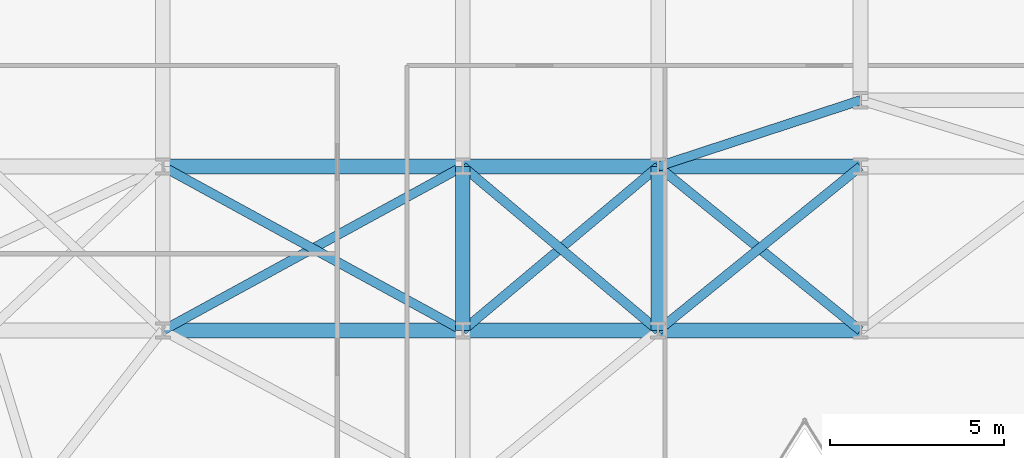
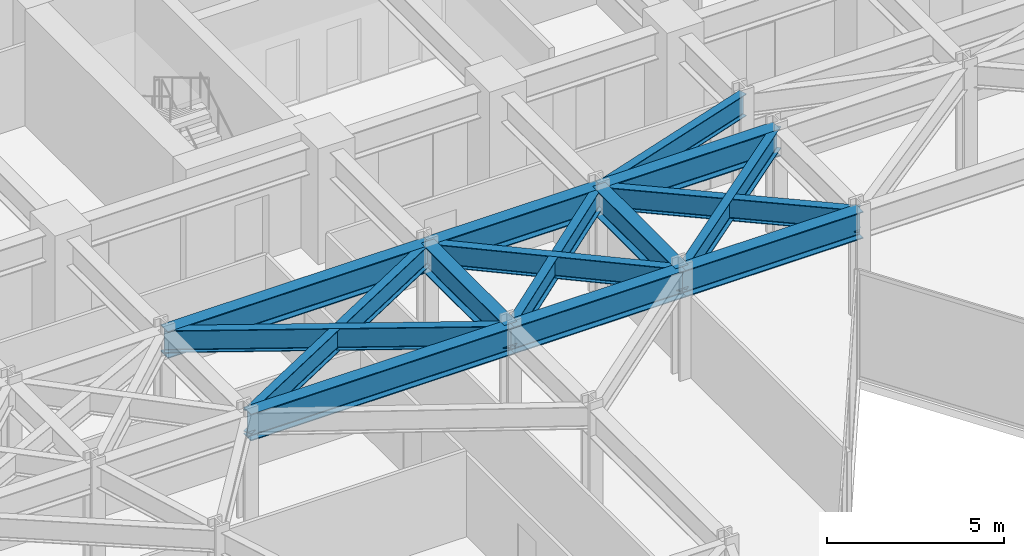
# One storey, part 11 of 25: 15 beams.
"""IFC4 building model written with IfcOpenShell, lengths in metres."""

import ifcopenshell
import ifcopenshell.guid

model = None  # the IFC model being written
_history = None  # IfcOwnerHistory: only IFC2X3 demands one
_inside = {}  # id of a spatial element -> (the spatial element, [elements in it])
_under = {}  # id of a project, library or spatial element -> (it, [spatial elements below it])
_declared = {}  # id of a project -> (the project, [libraries it declares])
_typed = {}  # id of a type object -> (the type object, [elements of that type])
_made_of = {}  # id of a material, layer set ... -> (it, [elements and type objects made of it])


def new_model(schema):
    """Start an empty IFC model of exactly this schema.

    Asked for "IFC4X3", IfcOpenShell would pick the latest addendum, in which some entities
    have other attributes; the version numbers below select the first issue.
    IFC2X3 requires an IfcOwnerHistory on every rooted entity: one is made here for all.
    """
    global model, _history
    if schema == "IFC4X3":
        model = ifcopenshell.file(schema_version=(4, 3, 0, 0))
    else:
        model = ifcopenshell.file(schema=schema)
    _inside.clear()
    _under.clear()
    _declared.clear()
    _typed.clear()
    _made_of.clear()
    _history = None
    if model.schema == "IFC2X3":
        org = make("IfcOrganization", Name="unknown")
        user = make(
            "IfcPersonAndOrganization",
            ThePerson=make("IfcPerson", FamilyName="unknown"),
            TheOrganization=org,
        )
        app = make(
            "IfcApplication",
            ApplicationDeveloper=org,
            Version="unknown",
            ApplicationFullName="unknown",
            ApplicationIdentifier="unknown",
        )
        _history = make(
            "IfcOwnerHistory",
            OwningUser=user,
            OwningApplication=app,
            ChangeAction="ADDED",
            CreationDate=0,
        )
    return model


def make(cls, **values):
    """One entity of the class cls with the attributes given. An attribute that is None is left unset."""
    return model.create_entity(
        cls, **{name: value for name, value in values.items() if value is not None}
    )


def rooted(cls, **values):
    """An entity with a GlobalId (a new one), such as an element, a storey or a relation."""
    return make(cls, GlobalId=ifcopenshell.guid.new(), OwnerHistory=_history, **values)


def si_unit(unit_type, name, prefix=None):
    """IfcSIUnit, for example si_unit("LENGTHUNIT", "METRE", prefix="MILLI")."""
    return make("IfcSIUnit", UnitType=unit_type, Prefix=prefix, Name=name)


def assignment(units):
    """IfcUnitAssignment: the units of a project."""
    return None if units is None else make("IfcUnitAssignment", Units=units)


def point(xyz):
    """IfcCartesianPoint."""
    return None if xyz is None else make("IfcCartesianPoint", Coordinates=xyz)


def direction(xyz):
    """IfcDirection."""
    return None if xyz is None else make("IfcDirection", DirectionRatios=xyz)


def frame(location, z_axis=None, x_axis=None):
    """IfcAxis2Placement3D, a coordinate frame: its origin and axes. An axis left out is left unset."""
    return make(
        "IfcAxis2Placement3D",
        Location=point(location),
        Axis=direction(z_axis),
        RefDirection=direction(x_axis),
    )


def frame_2d(location, x_axis=None):
    """IfcAxis2Placement2D, a coordinate frame in the plane: its origin and x axis."""
    return make(
        "IfcAxis2Placement2D", Location=point(location), RefDirection=direction(x_axis)
    )


def origin():
    """The frame at (0, 0, 0) with its axes left unset."""
    return frame((0.0, 0.0, 0.0))


def origin_2d():
    """The frame at (0, 0) in the plane with its x axis left unset."""
    return frame_2d((0.0, 0.0))


def place(relative_to, where):
    """IfcLocalPlacement: puts the frame where relative to a parent placement (None: the world)."""
    return make(
        "IfcLocalPlacement", PlacementRelTo=relative_to, RelativePlacement=where
    )


def context(
    kind, dimensions, precision=None, world=None, true_north=None, identifier=None
):
    """IfcGeometricRepresentationContext, for example the 3D "Model" context."""
    return make(
        "IfcGeometricRepresentationContext",
        ContextIdentifier=identifier,
        ContextType=kind,
        CoordinateSpaceDimension=dimensions,
        Precision=precision,
        WorldCoordinateSystem=world,
        TrueNorth=true_north,
    )


def subcontext(parent, identifier, kind, view, scale=None):
    """IfcGeometricRepresentationSubContext, for example "Body" below "Model"."""
    return make(
        "IfcGeometricRepresentationSubContext",
        ContextIdentifier=identifier,
        ContextType=kind,
        ParentContext=parent,
        TargetScale=scale,
        TargetView=view,
    )


def project(units=None, contexts=None):
    """IfcProject with its units and contexts."""
    return rooted(
        "IfcProject",
        Name="project",
        RepresentationContexts=contexts,
        UnitsInContext=assignment(units),
    )


def spatial(cls, under=None, at=None, **own):
    """A site, building, storey or space (cls), placed at a placement, below another one or the project."""
    s = rooted(cls, ObjectPlacement=at, **own)
    if under is not None:
        _under.setdefault(under.id(), (under, []))[1].append(s)
    return s


def profile(cls, at=None, kind="AREA", **sizes):
    """A parametric profile (cls). Its sizes go by their IFC names, for example OverallWidth=200.0."""
    return make(cls, ProfileType=kind, Position=at, **sizes)


def i_section(**sizes):
    """IfcIShapeProfileDef."""
    return profile("IfcIShapeProfileDef", **sizes)


def extrude(swept, where, along, depth):
    """IfcExtrudedAreaSolid: the profile swept, set in the frame where, extruded along a direction by depth."""
    return make(
        "IfcExtrudedAreaSolid",
        SweptArea=swept,
        Position=where,
        ExtrudedDirection=direction(along),
        Depth=depth,
    )


def shape(context_of_items, identifier, shape_type, items):
    """IfcShapeRepresentation: the items that make up one representation, for example the "Body"."""
    return make(
        "IfcShapeRepresentation",
        ContextOfItems=context_of_items,
        RepresentationIdentifier=identifier,
        RepresentationType=shape_type,
        Items=items,
    )


def material(Name=None, Category=None):
    """IfcMaterial."""
    return make("IfcMaterial", Name=Name, Category=Category)


def material_profile(
    of_material, cross_section, Name=None, Category=None, Priority=None
):
    """IfcMaterialProfile: a cross section and its material."""
    return make(
        "IfcMaterialProfile",
        Name=Name,
        Material=of_material,
        Profile=cross_section,
        Priority=Priority,
        Category=Category,
    )


def profile_set(profiles, Name=None, composite=None):
    """IfcMaterialProfileSet."""
    return make(
        "IfcMaterialProfileSet",
        Name=Name,
        MaterialProfiles=profiles,
        CompositeProfile=composite,
    )


def made_of(thing, what):
    """Note that an element or type object is made of a material, layer set ...; save() writes the relation."""
    if what is not None:
        _made_of.setdefault(what.id(), (what, []))[1].append(thing)
    return thing


def type_object(cls, material=None, **own):
    """A type object (cls), such as IfcWallType, which elements share."""
    return made_of(rooted(cls, **own), material)


def element(
    cls,
    number,
    at=None,
    inside=None,
    cuts=None,
    type_object=None,
    material=None,
    context=None,
    identifier="Body",
    shape_type=None,
    held_by="IfcProductDefinitionShape",
    body=None,
    shapes=None,
    **own,
):
    """One element of the class cls, such as IfcWall. Its Tag is "e" and its number.

    at: its placement. inside: the storey or other place that contains it. cuts: it is an
    opening in that element (IfcRelVoidsElement). A single representation is given by context,
    identifier, shape_type and body (its items); several are given by shapes. held_by: the class
    of the entity that holds the representations. save() writes the other relations.
    """
    e = rooted(cls, Tag="e%d" % number, ObjectPlacement=at, **own)
    if body is not None:
        shapes = [shape(context, identifier, shape_type, body)]
    if shapes is not None:
        e.Representation = make(held_by, Representations=shapes)
    if inside is not None:
        _inside.setdefault(inside.id(), (inside, []))[1].append(e)
    if cuts is not None:
        rooted(
            "IfcRelVoidsElement", RelatingBuildingElement=cuts, RelatedOpeningElement=e
        )
    if type_object is not None:
        _typed.setdefault(type_object.id(), (type_object, []))[1].append(e)
    return made_of(e, material)


def aggregate(whole, parts):
    """IfcRelAggregates: a whole, such as a stair, and the parts it consists of."""
    return rooted("IfcRelAggregates", RelatingObject=whole, RelatedObjects=parts)


def save(model, path):
    """Write the relations noted so far, then the file.

    IfcRelAggregates (storeys below a building ...), IfcRelContainedInSpatialStructure (elements
    in a storey), IfcRelDefinesByType, IfcRelAssociatesMaterial and IfcRelDeclares: one each for
    every whole, place, type object, material and project.
    """
    for whole, parts in _under.values():
        aggregate(whole, parts)
    for where, things in _inside.values():
        rooted(
            "IfcRelContainedInSpatialStructure",
            RelatedElements=things,
            RelatingStructure=where,
        )
    for kind, things in _typed.values():
        rooted("IfcRelDefinesByType", RelatedObjects=things, RelatingType=kind)
    for what, things in _made_of.values():
        rooted("IfcRelAssociatesMaterial", RelatedObjects=things, RelatingMaterial=what)
    for by, libraries in _declared.values():
        rooted("IfcRelDeclares", RelatingContext=by, RelatedDefinitions=libraries)
    model.write(path)


model = new_model("IFC4")

# Units and contexts
model_context = context("Model", 3, precision=1e-05, world=origin(), true_north=direction((0.0, 1.0)))
body_context = subcontext(model_context, "Body", "Model", "MODEL_VIEW")
ifc_project = project(units=[si_unit("LENGTHUNIT", "METRE"), si_unit("AREAUNIT", "SQUARE_METRE"), si_unit("VOLUMEUNIT", "CUBIC_METRE"), si_unit("PLANEANGLEUNIT", "RADIAN"), si_unit("MASSUNIT", "GRAM", prefix="KILO")], contexts=[model_context])

# Site, building, storey
site_placement = place(None, origin())
site = spatial("IfcSite", under=ifc_project, at=site_placement, CompositionType="ELEMENT")
building_placement = place(site_placement, origin())
building = spatial("IfcBuilding", under=site, at=building_placement, Name="Kravanh Interchange Tower", CompositionType="ELEMENT")
storey_placement = place(building_placement, frame((0.0, 0.0, 65.5)))
storey = spatial("IfcBuildingStorey", under=building, at=storey_placement, Name="L15", CompositionType="ELEMENT", Elevation=65.5)

# Beams
ifc_material_1 = material(Name="Structural Steel S355", Category="steel")
ifc_material_profile_1 = material_profile(ifc_material_1, i_section(OverallWidth=0.41796875, OverallDepth=0.927001953125, WebThickness=0.019287109375, FlangeThickness=0.031982421875, FilletRadius=0.028076171875, at=origin_2d()), Name="W36X231")
ifc_profile_set_1 = profile_set([ifc_material_profile_1], Name="Structural Steel S355")
beam_type_1 = type_object("IfcBeamType", Name="Floor Beam W36X231 Structural Steel S355", PredefinedType="BEAM", material=ifc_profile_set_1)
beam_1_placement = place(storey_placement, frame((18.60009765625, 26.800048828125, 3.276611328125), z_axis=(1.0, 0.0, 0.0), x_axis=(0.0, 1.0, 0.0)))
element("IfcBeam", 1, at=beam_1_placement, inside=storey, type_object=beam_type_1, Name="L15 Primary Floor Girder 76", PredefinedType="BEAM", context=body_context, shape_type="SweptSolid", body=[
    extrude(i_section(OverallWidth=0.41796875, OverallDepth=0.927001953125, WebThickness=0.019287109375, FlangeThickness=0.031982421875, FilletRadius=0.028076171875, at=origin_2d()), origin(), (0.0, 0.0, 1.0), 8.599853515625),
])
beam_2_placement = place(storey_placement, frame((27.199951171875, 26.800048828125, 3.276611328125), z_axis=(0.0, 1.0, 0.0), x_axis=(-1.0, 0.0, 0.0)))
element("IfcBeam", 2, at=beam_2_placement, inside=storey, type_object=beam_type_1, Name="L15 Primary Floor Girder 78", PredefinedType="BEAM", context=body_context, shape_type="SweptSolid", body=[
    extrude(i_section(OverallWidth=0.41796875, OverallDepth=0.927001953125, WebThickness=0.019287109375, FlangeThickness=0.031982421875, FilletRadius=0.028076171875, at=origin_2d()), origin(), (0.0, 0.0, 1.0), 4.699951171875),
])
beam_3_placement = place(storey_placement, frame((27.199951171875, 26.800048828125, 3.276611328125), z_axis=(1.0, 0.0, 0.0), x_axis=(0.0, 1.0, 0.0)))
element("IfcBeam", 3, at=beam_3_placement, inside=storey, type_object=beam_type_1, Name="L15 Primary Floor Girder 79", PredefinedType="BEAM", context=body_context, shape_type="SweptSolid", body=[
    extrude(i_section(OverallWidth=0.41796875, OverallDepth=0.927001953125, WebThickness=0.019287109375, FlangeThickness=0.031982421875, FilletRadius=0.028076171875, at=origin_2d()), origin(), (0.0, 0.0, 1.0), 5.60009765625),
])
beam_4_placement = place(storey_placement, frame((32.800048828125, 26.800048828125, 3.276611328125), z_axis=(0.0, 1.0, 0.0), x_axis=(-1.0, 0.0, 0.0)))
element("IfcBeam", 4, at=beam_4_placement, inside=storey, type_object=beam_type_1, Name="L15 Primary Floor Girder 82", PredefinedType="BEAM", context=body_context, shape_type="SweptSolid", body=[
    extrude(i_section(OverallWidth=0.41796875, OverallDepth=0.927001953125, WebThickness=0.019287109375, FlangeThickness=0.031982421875, FilletRadius=0.028076171875, at=origin_2d()), origin(), (0.0, 0.0, 1.0), 4.699951171875),
])
beam_5_placement = place(storey_placement, frame((32.800048828125, 26.800048828125, 3.276611328125), z_axis=(1.0, 0.0, 0.0), x_axis=(0.0, 1.0, 0.0)))
element("IfcBeam", 5, at=beam_5_placement, inside=storey, type_object=beam_type_1, Name="L15 Primary Floor Girder 83", PredefinedType="BEAM", context=body_context, shape_type="SweptSolid", body=[
    extrude(i_section(OverallWidth=0.41796875, OverallDepth=0.927001953125, WebThickness=0.019287109375, FlangeThickness=0.031982421875, FilletRadius=0.028076171875, at=origin_2d()), origin(), (0.0, 0.0, 1.0), 5.800048828125),
])
beam_6_placement = place(storey_placement, frame((18.60009765625, 31.5, 3.276611328125), z_axis=(1.0, 0.0, 0.0), x_axis=(0.0, 1.0, 0.0)))
element("IfcBeam", 6, at=beam_6_placement, inside=storey, type_object=beam_type_1, Name="L15 Primary Floor Girder 106", PredefinedType="BEAM", context=body_context, shape_type="SweptSolid", body=[
    extrude(i_section(OverallWidth=0.41796875, OverallDepth=0.927001953125, WebThickness=0.019287109375, FlangeThickness=0.031982421875, FilletRadius=0.028076171875, at=origin_2d()), origin(), (0.0, 0.0, 1.0), 8.599853515625),
])
beam_7_placement = place(storey_placement, frame((27.199951171875, 31.5, 3.276611328125), z_axis=(1.0, 0.0, 0.0), x_axis=(0.0, 1.0, 0.0)))
element("IfcBeam", 7, at=beam_7_placement, inside=storey, type_object=beam_type_1, Name="L15 Primary Floor Girder 107", PredefinedType="BEAM", context=body_context, shape_type="SweptSolid", body=[
    extrude(i_section(OverallWidth=0.41796875, OverallDepth=0.927001953125, WebThickness=0.019287109375, FlangeThickness=0.031982421875, FilletRadius=0.028076171875, at=origin_2d()), origin(), (0.0, 0.0, 1.0), 5.60009765625),
])
beam_8_placement = place(storey_placement, frame((32.800048828125, 31.5, 3.276611328125), z_axis=(1.0, 0.0, 0.0), x_axis=(0.0, 1.0, 0.0)))
element("IfcBeam", 8, at=beam_8_placement, inside=storey, type_object=beam_type_1, Name="L15 Primary Floor Girder 109", PredefinedType="BEAM", context=body_context, shape_type="SweptSolid", body=[
    extrude(i_section(OverallWidth=0.41796875, OverallDepth=0.927001953125, WebThickness=0.019287109375, FlangeThickness=0.031982421875, FilletRadius=0.028076171875, at=origin_2d()), origin(), (0.0, 0.0, 1.0), 5.800048828125),
])
ifc_material_2 = material(Name="Structural Steel S355", Category="steel")
ifc_material_profile_2 = material_profile(ifc_material_2, i_section(OverallWidth=0.26708984375, OverallDepth=0.761962890625, WebThickness=0.014404296875, FlangeThickness=0.021484375, FilletRadius=0.02490234375, at=origin_2d()), Name="W30X116")
ifc_profile_set_2 = profile_set([ifc_material_profile_2], Name="Structural Steel S355")
beam_type_2 = type_object("IfcBeamType", Name="Floor Spandrel W30X116 Structural Steel S355", PredefinedType="SPANDREL", material=ifc_profile_set_2)
beam_9_placement = place(storey_placement, frame((18.60009765625, 26.800048828125, 3.35888671875), z_axis=(0.877503996342, 0.479569323877, 0.0), x_axis=(-0.479569323877, 0.877503996342, 0.0)))
element("IfcBeam", 9, at=beam_9_placement, inside=storey, type_object=beam_type_2, Name="L15 Perimeter Spandrel 77", PredefinedType="SPANDREL", context=body_context, shape_type="SweptSolid", body=[
    extrude(i_section(OverallWidth=0.26708984375, OverallDepth=0.761962890625, WebThickness=0.014404296875, FlangeThickness=0.021484375, FilletRadius=0.02490234375, at=origin_2d()), origin(), (0.0, 0.0, 1.0), 9.80029296875),
])
beam_10_placement = place(storey_placement, frame((27.199951171875, 26.800048828125, 3.35888671875), z_axis=(0.765983062929, 0.642860752657, 0.0), x_axis=(-0.642860752657, 0.765983062929, 0.0)))
element("IfcBeam", 10, at=beam_10_placement, inside=storey, type_object=beam_type_2, Name="L15 Perimeter Spandrel 80", PredefinedType="SPANDREL", context=body_context, shape_type="SweptSolid", body=[
    extrude(i_section(OverallWidth=0.26708984375, OverallDepth=0.761962890625, WebThickness=0.014404296875, FlangeThickness=0.021484375, FilletRadius=0.02490234375, at=origin_2d()), origin(), (0.0, 0.0, 1.0), 7.31103515625),
])
beam_11_placement = place(storey_placement, frame((27.199951171875, 26.800048828125, 3.35888671875), z_axis=(-0.877503996342, 0.479569323877, 0.0), x_axis=(-0.479569323877, -0.877503996342, 0.0)))
element("IfcBeam", 11, at=beam_11_placement, inside=storey, type_object=beam_type_2, Name="L15 Perimeter Spandrel 81", PredefinedType="SPANDREL", context=body_context, shape_type="SweptSolid", body=[
    extrude(i_section(OverallWidth=0.26708984375, OverallDepth=0.761962890625, WebThickness=0.014404296875, FlangeThickness=0.021484375, FilletRadius=0.02490234375, at=origin_2d()), origin(), (0.0, 0.0, 1.0), 9.80029296875),
])
beam_12_placement = place(storey_placement, frame((32.800048828125, 26.800048828125, 3.35888671875), z_axis=(-0.765983062929, 0.642860752657, 0.0), x_axis=(-0.642860752657, -0.765983062929, 0.0)))
element("IfcBeam", 12, at=beam_12_placement, inside=storey, type_object=beam_type_2, Name="L15 Perimeter Spandrel 84", PredefinedType="SPANDREL", context=body_context, shape_type="SweptSolid", body=[
    extrude(i_section(OverallWidth=0.26708984375, OverallDepth=0.761962890625, WebThickness=0.014404296875, FlangeThickness=0.021484375, FilletRadius=0.02490234375, at=origin_2d()), origin(), (0.0, 0.0, 1.0), 7.31103515625),
])
for number, where, z_axis, x_axis, name in (
    (13, (32.800048828125, 26.800048828125, 3.35888671875), (0.776938619557, 0.629576350764, 0.0), (-0.629576350764, 0.776938619557, 0.0), "L15 Perimeter Spandrel 85"),
    (14, (38.60009765625, 26.800048828125, 3.35888671875), (-0.776938619557, 0.629576350764, 0.0), (-0.629576350764, -0.776938619557, 0.0), "L15 Perimeter Spandrel 87"),
):
    element("IfcBeam", number, at=place(storey_placement, frame(where, z_axis=z_axis, x_axis=x_axis)), inside=storey, type_object=beam_type_2, Name=name, PredefinedType="SPANDREL", context=body_context, shape_type="SweptSolid", body=[
        extrude(i_section(OverallWidth=0.26708984375, OverallDepth=0.761962890625, WebThickness=0.014404296875, FlangeThickness=0.021484375, FilletRadius=0.02490234375, at=origin_2d()), origin(), (0.0, 0.0, 1.0), 7.46533203125),
    ])
beam_13_placement = place(storey_placement, frame((32.800048828125, 31.5, 3.35888671875), z_axis=(0.950314536578, 0.31129131303, 0.0), x_axis=(-0.31129131303, 0.950314536578, 0.0)))
element("IfcBeam", 15, at=beam_13_placement, inside=storey, type_object=beam_type_2, Name="L15 Perimeter Spandrel 110", PredefinedType="SPANDREL", context=body_context, shape_type="SweptSolid", body=[
    extrude(i_section(OverallWidth=0.26708984375, OverallDepth=0.761962890625, WebThickness=0.014404296875, FlangeThickness=0.021484375, FilletRadius=0.02490234375, at=origin_2d()), origin(), (0.0, 0.0, 1.0), 6.103271484375),
])

save(model, "model.ifc")
